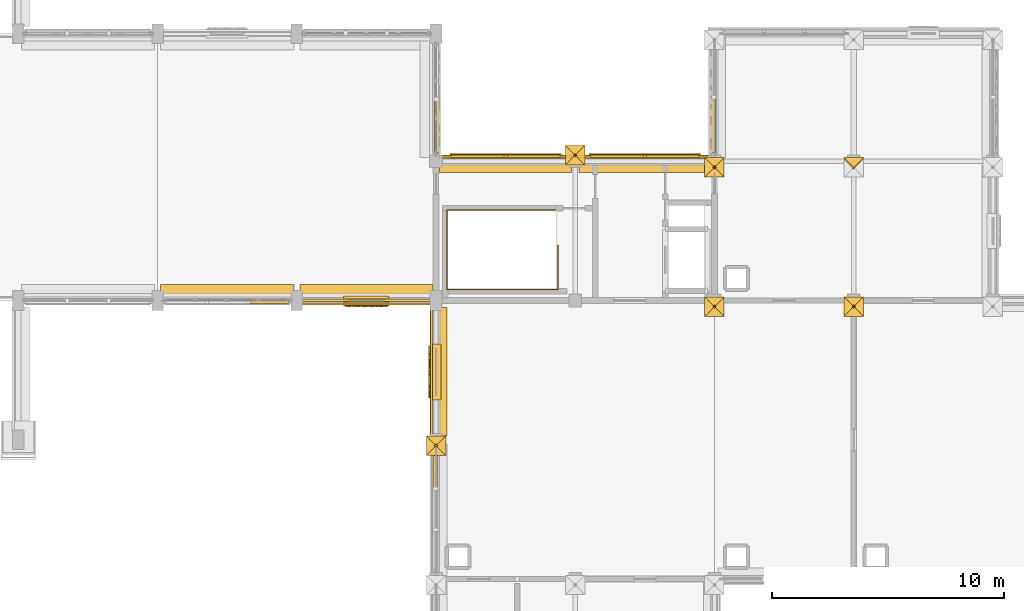
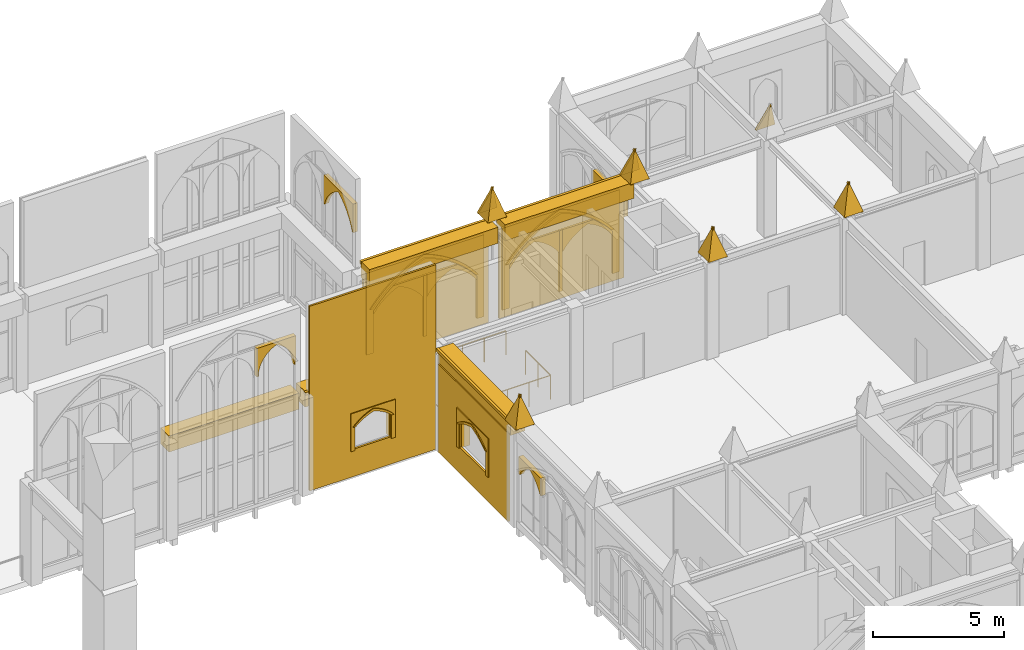
# One storey, part 101 of 108: 52 coverings, 1 railing.
"""IFC4 building model written with IfcOpenShell, lengths in metres."""

from ifc_helpers import new_model, si_unit, direction, frame, origin, origin_2d, place, context, subcontext, project, spatial, polyline, rectangle, circle, outline, extrude, material, type_object, element, save


model = new_model("IFC4")

# Units and contexts
model_context = context("Model", 3, precision=1e-05, world=origin(), true_north=direction((0.0, 1.0)))
body_context = subcontext(model_context, "Body", "Model", "MODEL_VIEW")
ifc_project = project(units=[si_unit("LENGTHUNIT", "METRE"), si_unit("AREAUNIT", "SQUARE_METRE"), si_unit("VOLUMEUNIT", "CUBIC_METRE"), si_unit("PLANEANGLEUNIT", "RADIAN"), si_unit("MASSUNIT", "GRAM", prefix="KILO")], contexts=[model_context])

# Site, building, storey
site_placement = place(None, origin())
site = spatial("IfcSite", under=ifc_project, at=site_placement, CompositionType="ELEMENT")
building_placement = place(site_placement, origin())
building = spatial("IfcBuilding", under=site, at=building_placement, Name="Cumevento Cable Car Station", CompositionType="ELEMENT")
storey_placement = place(building_placement, frame((0.0, 0.0, 13.5)))
storey = spatial("IfcBuildingStorey", under=building, at=storey_placement, Name="L04", CompositionType="ELEMENT", Elevation=13.5)

# Railing
ifc_material_1 = material(Name="Painted Galvanised Architectural Steel", Category="steel")
railing_type = type_object("IfcRailingType", Name="Stair Guardrail GR-S115", PredefinedType="GUARDRAIL", material=ifc_material_1)
railing_placement = place(storey_placement, frame((123.25, 47.3798828125, 0.0)))
element("IfcRailing", 1, at=railing_placement, inside=storey, type_object=railing_type, Name="Stairwell Opening Rim Guard ST-06-L03 L04", PredefinedType="GUARDRAIL", context=body_context, shape_type="SweptSolid", body=[
    extrude(circle(Radius=0.02392578125, at=origin_2d()), frame((0.0, 0.0, 1.1259765625), z_axis=(0.0, -1.0, 0.0), x_axis=(1.0, 0.0, 0.0)), (0.0, 0.0, 1.0), 1.909912109375),
    extrude(circle(Radius=0.02392578125, at=origin_2d()), frame((0.0, -1.909912109375, 1.1259765625), z_axis=(-1.0, 0.0, 0.0), x_axis=(0.0, -1.0, 0.0)), (0.0, 0.0, 1.0), 4.780029296875),
    extrude(circle(Radius=0.02392578125, at=origin_2d()), frame((-4.780029296875, -1.909912109375, 1.1259765625), z_axis=(0.0, 1.0, 0.0), x_axis=(-1.0, 0.0, 0.0)), (0.0, 0.0, 1.0), 3.429931640625),
    extrude(circle(Radius=0.02392578125, at=origin_2d()), frame((-4.780029296875, 1.52001953125, 1.1259765625), z_axis=(1.0, 0.0, 0.0), x_axis=(0.0, 1.0, 0.0)), (0.0, 0.0, 1.0), 4.780029296875),
    extrude(circle(Radius=0.02001953125, at=origin_2d()), origin(), (0.0, 0.0, 1.0), 1.101806640625),
    extrude(circle(Radius=0.02001953125, at=origin_2d()), frame((0.0, -0.955078125, 0.0)), (0.0, 0.0, 1.0), 1.101806640625),
    extrude(circle(Radius=0.02001953125, at=origin_2d()), frame((0.0, -1.909912109375, 0.0)), (0.0, 0.0, 1.0), 1.101806640625),
    extrude(circle(Radius=0.02001953125, at=origin_2d()), frame((-0.9560546875, -1.909912109375, 0.0)), (0.0, 0.0, 1.0), 1.101806640625),
    extrude(circle(Radius=0.02001953125, at=origin_2d()), frame((-1.912109375, -1.909912109375, 0.0)), (0.0, 0.0, 1.0), 1.101806640625),
    extrude(circle(Radius=0.02001953125, at=origin_2d()), frame((-2.867919921875, -1.909912109375, 0.0)), (0.0, 0.0, 1.0), 1.101806640625),
    extrude(circle(Radius=0.02001953125, at=origin_2d()), frame((-3.823974609375, -1.909912109375, 0.0)), (0.0, 0.0, 1.0), 1.101806640625),
    extrude(circle(Radius=0.02001953125, at=origin_2d()), frame((-4.780029296875, -1.909912109375, 0.0)), (0.0, 0.0, 1.0), 1.101806640625),
    extrude(circle(Radius=0.02001953125, at=origin_2d()), frame((-4.780029296875, -1.052490234375, 0.0)), (0.0, 0.0, 1.0), 1.101806640625),
    extrude(circle(Radius=0.02001953125, at=origin_2d()), frame((-4.780029296875, -0.19482421875, 0.0)), (0.0, 0.0, 1.0), 1.101806640625),
    extrude(circle(Radius=0.02001953125, at=origin_2d()), frame((-4.780029296875, 0.66259765625, 0.0)), (0.0, 0.0, 1.0), 1.101806640625),
    extrude(circle(Radius=0.02001953125, at=origin_2d()), frame((-4.780029296875, 1.52001953125, 0.0)), (0.0, 0.0, 1.0), 1.101806640625),
    extrude(circle(Radius=0.02001953125, at=origin_2d()), frame((-3.823974609375, 1.52001953125, 0.0)), (0.0, 0.0, 1.0), 1.101806640625),
    extrude(circle(Radius=0.02001953125, at=origin_2d()), frame((-2.867919921875, 1.52001953125, 0.0)), (0.0, 0.0, 1.0), 1.101806640625),
    extrude(circle(Radius=0.02001953125, at=origin_2d()), frame((-1.912109375, 1.52001953125, 0.0)), (0.0, 0.0, 1.0), 1.101806640625),
    extrude(circle(Radius=0.02001953125, at=origin_2d()), frame((-0.9560546875, 1.52001953125, 0.0)), (0.0, 0.0, 1.0), 1.101806640625),
    extrude(circle(Radius=0.02001953125, at=origin_2d()), frame((0.0, 1.52001953125, 0.0)), (0.0, 0.0, 1.0), 1.101806640625),
])

# Coverings
ifc_material_2 = material(Name="Gnaisse Facoidal Stone Ashlar 85 MPa", Category="masonry")
covering_type = type_object("IfcCoveringType", Name="Gnaisse Ashlar Cladding CV-CL01", PredefinedType="CLADDING", material=ifc_material_2)
for number, where, z_axis, x_axis, name in (
    (2, (117.580078125, 39.159912109375, 4.8701171875), (0.0, 0.951573760476, 0.30742052367), (1.0, 0.0, 0.0), "Gothic Buttress Pinnacle Spire Facet 1 bt:118.0:39.0"),
    (3, (118.419921875, 39.159912109375, 4.8701171875), (0.951573760476, 0.0, 0.30742052367), (0.0, -1.0, 0.0), "Gothic Buttress Pinnacle Spire Facet 2 bt:118.0:39.0"),
    (4, (118.419921875, 38.320068359375, 4.8701171875), (0.0, -0.951573760476, 0.30742052367), (-1.0, 0.0, 0.0), "Gothic Buttress Pinnacle Spire Facet 3 bt:118.0:39.0"),
    (5, (117.580078125, 38.320068359375, 4.8701171875), (-0.951573760476, 0.0, 0.30742052367), (0.0, 1.0, 0.0), "Gothic Buttress Pinnacle Spire Facet 4 bt:118.0:39.0"),
    (6, (124.419921875, 50.840087890625, 4.8701171875), (0.0, -0.951573760476, 0.30742052367), (-1.0, 0.0, 0.0), "Gothic Buttress Pinnacle Spire Facet 1 bt:124.0:51.0"),
    (7, (123.580078125, 50.840087890625, 4.8701171875), (-0.951573760476, 0.0, 0.30742052367), (0.0, 1.0, 0.0), "Gothic Buttress Pinnacle Spire Facet 2 bt:124.0:51.0"),
    (8, (123.580078125, 51.679931640625, 4.8701171875), (0.0, 0.951573760476, 0.30742052367), (1.0, 0.0, 0.0), "Gothic Buttress Pinnacle Spire Facet 3 bt:124.0:51.0"),
    (9, (124.419921875, 51.679931640625, 4.8701171875), (0.951573760476, 0.0, 0.30742052367), (0.0, -1.0, 0.0), "Gothic Buttress Pinnacle Spire Facet 4 bt:124.0:51.0"),
    (10, (129.580078125, 45.159912109375, 4.8701171875), (0.0, 0.951573760476, 0.30742052367), (1.0, 0.0, 0.0), "Gothic Buttress Pinnacle Spire Facet 1 bt:130.0:45.0"),
    (11, (130.419921875, 45.159912109375, 4.8701171875), (0.951573760476, 0.0, 0.30742052367), (0.0, -1.0, 0.0), "Gothic Buttress Pinnacle Spire Facet 2 bt:130.0:45.0"),
    (12, (130.419921875, 44.320068359375, 4.8701171875), (0.0, -0.951573760476, 0.30742052367), (-1.0, 0.0, 0.0), "Gothic Buttress Pinnacle Spire Facet 3 bt:130.0:45.0"),
    (13, (129.580078125, 44.320068359375, 4.8701171875), (-0.951573760476, 0.0, 0.30742052367), (0.0, 1.0, 0.0), "Gothic Buttress Pinnacle Spire Facet 4 bt:130.0:45.0"),
    (14, (129.580078125, 51.159912109375, 4.8701171875), (0.0, 0.951573760476, 0.30742052367), (1.0, 0.0, 0.0), "Gothic Buttress Pinnacle Spire Facet 1 bt:130.0:51.0"),
    (15, (130.419921875, 51.159912109375, 4.8701171875), (0.951573760476, 0.0, 0.30742052367), (0.0, -1.0, 0.0), "Gothic Buttress Pinnacle Spire Facet 2 bt:130.0:51.0"),
    (16, (130.419921875, 50.320068359375, 4.8701171875), (0.0, -0.951573760476, 0.30742052367), (-1.0, 0.0, 0.0), "Gothic Buttress Pinnacle Spire Facet 3 bt:130.0:51.0"),
    (17, (129.580078125, 50.320068359375, 4.8701171875), (-0.951573760476, 0.0, 0.30742052367), (0.0, 1.0, 0.0), "Gothic Buttress Pinnacle Spire Facet 4 bt:130.0:51.0"),
    (18, (135.580078125, 45.159912109375, 4.8701171875), (0.0, 0.951573760476, 0.30742052367), (1.0, 0.0, 0.0), "Gothic Buttress Pinnacle Spire Facet 1 bt:136.0:45.0"),
    (19, (136.419921875, 45.159912109375, 4.8701171875), (0.951573760476, 0.0, 0.30742052367), (0.0, -1.0, 0.0), "Gothic Buttress Pinnacle Spire Facet 2 bt:136.0:45.0"),
    (20, (136.419921875, 44.320068359375, 4.8701171875), (0.0, -0.951573760476, 0.30742052367), (-1.0, 0.0, 0.0), "Gothic Buttress Pinnacle Spire Facet 3 bt:136.0:45.0"),
    (21, (135.580078125, 44.320068359375, 4.8701171875), (-0.951573760476, 0.0, 0.30742052367), (0.0, 1.0, 0.0), "Gothic Buttress Pinnacle Spire Facet 4 bt:136.0:45.0"),
    (22, (135.580078125, 51.159912109375, 4.8701171875), (0.0, 0.951573760476, 0.30742052367), (1.0, 0.0, 0.0), "Gothic Buttress Pinnacle Spire Facet 1 bt:136.0:51.0"),
):
    element("IfcCovering", number, at=place(storey_placement, frame(where, z_axis=z_axis, x_axis=x_axis)), inside=storey, type_object=covering_type, Name=name, PredefinedType="CLADDING", context=body_context, shape_type="SweptSolid", body=[
        extrude(outline(polyline([(0.0, 0.0), (0.83984375, 0.0), (0.419921875, -1.3659526370817139), (0.0, 0.0)])), origin(), (0.0, 0.0, -1.0), 0.0849609375),
    ])
for number, where, z_axis, x_axis, name in (
    (23, (109.0, 45.3701171875, 3.782958984375), (0.0, 0.0, 1.0), (-1.0, 0.0, 0.0), "Gothic Stone Spandrel Stringcourse sc:0738"),
    (24, (115.0, 45.3701171875, 3.782958984375), (0.0, 0.0, 1.0), (-1.0, 0.0, 0.0), "Gothic Stone Spandrel Stringcourse sc:0739"),
):
    element("IfcCovering", number, at=place(storey_placement, frame(where, z_axis=z_axis, x_axis=x_axis)), inside=storey, type_object=covering_type, Name=name, PredefinedType="CLADDING", context=body_context, shape_type="SweptSolid", body=[
        extrude(rectangle(XDim=5.739990234375, YDim=0.659912109375, at=origin_2d()), origin(), (0.0, 0.0, 1.0), 0.7470703125),
    ])
covering_1_placement = place(storey_placement, frame((115.0, 45.012451171875, 4.400146484375), z_axis=(0.0, 0.0, 1.0), x_axis=(-1.0, 0.0, 0.0)))
element("IfcCovering", 25, at=covering_1_placement, inside=storey, type_object=covering_type, Name="Gothic Cornice Dripstone Lip sc:0739", PredefinedType="CLADDING", context=body_context, shape_type="SweptSolid", body=[
    extrude(rectangle(XDim=5.780029296875, YDim=0.114990234375, at=origin_2d()), origin(), (0.0, 0.0, 1.0), 0.1298828125),
])
covering_2_placement = place(storey_placement, frame((118.14990234375, 41.925048828125, 4.032958984375), z_axis=(0.0, 0.0, 1.0), x_axis=(0.0, 1.0, 0.0)))
element("IfcCovering", 26, at=covering_2_placement, inside=storey, type_object=covering_type, Name="Gothic Stone Spandrel Stringcourse sc:0759", PredefinedType="CLADDING", context=body_context, shape_type="SweptSolid", body=[
    extrude(rectangle(XDim=5.5400390625, YDim=0.659912109375, at=origin_2d()), origin(), (0.0, 0.0, 1.0), 0.7470703125),
])
covering_3_placement = place(storey_placement, frame((117.79248046875, 41.925048828125, 4.650146484375), z_axis=(0.0, 0.0, 1.0), x_axis=(0.0, 1.0, 0.0)))
element("IfcCovering", 27, at=covering_3_placement, inside=storey, type_object=covering_type, Name="Gothic Cornice Dripstone Lip sc:0759", PredefinedType="CLADDING", context=body_context, shape_type="SweptSolid", body=[
    extrude(rectangle(XDim=5.580078125, YDim=0.114990234375, at=origin_2d()), origin(), (0.0, 0.0, 1.0), 0.1298828125),
])
covering_4_placement = place(storey_placement, frame((121.0, 50.85009765625, 4.032958984375), z_axis=(0.0, 0.0, 1.0), x_axis=(1.0, 0.0, 0.0)))
element("IfcCovering", 28, at=covering_4_placement, inside=storey, type_object=covering_type, Name="Gothic Stone Spandrel Stringcourse sc:0771", PredefinedType="CLADDING", context=body_context, shape_type="SweptSolid", body=[
    extrude(rectangle(XDim=5.68994140625, YDim=0.659912109375, at=origin_2d()), origin(), (0.0, 0.0, 1.0), 0.7470703125),
])
covering_5_placement = place(storey_placement, frame((121.0, 51.20751953125, 4.650146484375), z_axis=(0.0, 0.0, 1.0), x_axis=(1.0, 0.0, 0.0)))
element("IfcCovering", 29, at=covering_5_placement, inside=storey, type_object=covering_type, Name="Gothic Cornice Dripstone Lip sc:0771", PredefinedType="CLADDING", context=body_context, shape_type="SweptSolid", body=[
    extrude(rectangle(XDim=5.72998046875, YDim=0.114990234375, at=origin_2d()), origin(), (0.0, 0.0, 1.0), 0.1298828125),
])
covering_6_placement = place(storey_placement, frame((127.0, 50.85009765625, 4.032958984375), z_axis=(0.0, 0.0, 1.0), x_axis=(1.0, 0.0, 0.0)))
element("IfcCovering", 30, at=covering_6_placement, inside=storey, type_object=covering_type, Name="Gothic Stone Spandrel Stringcourse sc:0772", PredefinedType="CLADDING", context=body_context, shape_type="SweptSolid", body=[
    extrude(rectangle(XDim=5.68994140625, YDim=0.659912109375, at=origin_2d()), origin(), (0.0, 0.0, 1.0), 0.7470703125),
])
covering_7_placement = place(storey_placement, frame((127.0, 51.20751953125, 4.650146484375), z_axis=(0.0, 0.0, 1.0), x_axis=(1.0, 0.0, 0.0)))
element("IfcCovering", 31, at=covering_7_placement, inside=storey, type_object=covering_type, Name="Gothic Cornice Dripstone Lip sc:0772", PredefinedType="CLADDING", context=body_context, shape_type="SweptSolid", body=[
    extrude(rectangle(XDim=5.72998046875, YDim=0.114990234375, at=origin_2d()), origin(), (0.0, 0.0, 1.0), 0.1298828125),
])
covering_8_placement = place(storey_placement, frame((111.6201171875, 45.0, 6.06298828125), z_axis=(0.0, 0.0, 1.0), x_axis=(-1.0, 0.0, 0.0)))
element("IfcCovering", 32, at=covering_8_placement, inside=storey, type_object=covering_type, Name="Gothic Ogival Pointed-Arch Stone Spandrel cw_ogival:0168:sub:0", PredefinedType="CLADDING", context=body_context, shape_type="SweptSolid", body=[
    extrude(outline(polyline([(-0.02001953125, 0.0), (-0.02001953125, 1.339599609375), (1.706787109375, 1.339599609375), (1.706787109375, 0.0), (1.646728515625, 0.0), (1.621826171875, 0.256103515625), (1.5478515625, 0.502685546875), (1.427978515625, 0.730224609375), (1.26611328125, 0.930419921875), (1.06884765625, 1.095458984375), (0.84326171875, 1.219482421875), (0.617919921875, 1.095458984375), (0.420654296875, 0.930419921875), (0.2587890625, 0.730224609375), (0.138916015625, 0.502685546875), (0.06494140625, 0.256103515625), (0.0400390625, 0.0), (-0.02001953125, 0.0)])), frame((0.0, 0.1240234375, 0.0), z_axis=(0.0, -1.0, 0.0), x_axis=(1.0, 0.0, 0.0)), (0.0, 0.0, 1.0), 0.199951171875),
])
covering_9_placement = place(storey_placement, frame((118.0, 53.6298828125, 6.06298828125), z_axis=(0.0, 0.0, 1.0), x_axis=(0.0, -1.0, 0.0)))
element("IfcCovering", 33, at=covering_9_placement, inside=storey, type_object=covering_type, Name="Gothic Ogival Pointed-Arch Stone Spandrel cw_ogival:0170:sub:1", PredefinedType="CLADDING", context=body_context, shape_type="SweptSolid", body=[
    extrude(outline(polyline([(-0.02001953125, 0.0), (-0.02001953125, 1.339599609375), (2.2451171875, 1.339599609375), (2.2451171875, 0.0), (2.18505859375, 0.0), (2.078125, 0.256103515625), (1.938720703125, 0.49609375), (1.76953125, 0.7158203125), (1.572998046875, 0.911865234375), (1.352783203125, 1.080810546875), (1.112548828125, 1.219482421875), (0.872314453125, 1.080810546875), (0.652099609375, 0.911865234375), (0.45556640625, 0.7158203125), (0.286376953125, 0.49609375), (0.14697265625, 0.256103515625), (0.0400390625, 0.0), (-0.02001953125, 0.0)])), frame((0.0, 0.1240234375, 0.0), z_axis=(0.0, -1.0, 0.0), x_axis=(1.0, 0.0, 0.0)), (0.0, 0.0, 1.0), 0.199951171875),
])
covering_10_placement = place(storey_placement, frame((118.0, 36.925048828125, 2.551025390625), z_axis=(0.0, 0.0, 1.0), x_axis=(0.0, 1.0, 0.0)))
element("IfcCovering", 34, at=covering_10_placement, inside=storey, type_object=covering_type, Name="Gothic Ogival Pointed-Arch Stone Spandrel cw_ogival:0179:sub:2", PredefinedType="CLADDING", context=body_context, shape_type="SweptSolid", body=[
    extrude(outline(polyline([(-0.02001953125, 0.0), (-0.02001953125, 0.82568359375), (1.68994140625, 0.82568359375), (1.68994140625, 0.0), (1.6298828125, 0.0), (1.533203125, 0.15234375), (1.419921875, 0.292724609375), (1.2919921875, 0.419921875), (1.150634765625, 0.531982421875), (0.99755859375, 0.627685546875), (0.8349609375, 0.705810546875), (0.67236328125, 0.627685546875), (0.519287109375, 0.531982421875), (0.3779296875, 0.419921875), (0.25, 0.292724609375), (0.13671875, 0.15234375), (0.0400390625, 0.0), (-0.02001953125, 0.0)])), frame((0.0, 0.1240234375, 0.0), z_axis=(0.0, -1.0, 0.0), x_axis=(1.0, 0.0, 0.0)), (0.0, 0.0, 1.0), 0.199951171875),
])
covering_11_placement = place(storey_placement, frame((130.0, 51.405029296875, 2.60498046875), z_axis=(0.0, 0.0, 1.0), x_axis=(0.0, 1.0, 0.0)))
element("IfcCovering", 35, at=covering_11_placement, inside=storey, type_object=covering_type, Name="Gothic Ogival Pointed-Arch Stone Spandrel cw_ogival:0190:sub:0", PredefinedType="CLADDING", context=body_context, shape_type="SweptSolid", body=[
    extrude(outline(polyline([(-0.02001953125, 0.0), (-0.02001953125, 0.797607421875), (2.320068359375, 0.797607421875), (2.320068359375, 0.0), (2.260009765625, 0.0), (2.10107421875, 0.150634765625), (1.929931640625, 0.287353515625), (1.748046875, 0.4091796875), (1.556396484375, 0.515380859375), (1.356689453125, 0.60498046875), (1.14990234375, 0.677734375), (0.943359375, 0.60498046875), (0.74365234375, 0.515380859375), (0.552001953125, 0.4091796875), (0.3701171875, 0.287353515625), (0.198974609375, 0.150634765625), (0.0400390625, 0.0), (-0.02001953125, 0.0)])), frame((0.0, 0.1240234375, 0.0), z_axis=(0.0, -1.0, 0.0), x_axis=(1.0, 0.0, 0.0)), (0.0, 0.0, 1.0), 0.199951171875),
])
covering_12_placement = place(storey_placement, frame((117.75, 45.0, 0.0), z_axis=(0.0, 0.0, 1.0), x_axis=(-1.0, 0.0, 0.0)))
element("IfcCovering", 36, at=covering_12_placement, inside=storey, type_object=covering_type, Name="Exterior Gnaisse Stone Wall Ashlar #281", PredefinedType="CLADDING", context=body_context, shape_type="SweptSolid", body=[
    extrude(outline(polyline([(-0.0400390625, -0.02001953125), (5.5400390625, -0.02001953125), (5.5400390625, 8.613037109375), (-0.0400390625, 8.613037109375), (-0.0400390625, -0.02001953125)]), holes=[polyline([(1.9599609375, 1.260009765625), (3.5400390625, 1.260009765625), (3.5400390625, 2.739990234375), (1.9599609375, 2.739990234375), (1.9599609375, 1.260009765625)])]), frame((0.0, 0.1923828125, 0.0), z_axis=(0.0, -1.0, 0.0), x_axis=(1.0, 0.0, 0.0)), (0.0, 0.0, 1.0), 0.0849609375),
])
covering_13_placement = place(storey_placement, frame((115.93994140625, 45.0, 1.199951171875), z_axis=(0.0, 0.0, 1.0), x_axis=(-1.0, 0.0, 0.0)))
element("IfcCovering", 37, at=covering_13_placement, inside=storey, type_object=covering_type, Name="Gothic Ogival Pointed-Arch Stone Spandrel op_ogival:0281:1", PredefinedType="CLADDING", context=body_context, shape_type="SweptSolid", body=[
    extrude(outline(polyline([(-0.0400390625, 0.0), (-0.0400390625, 1.77001953125), (1.919921875, 1.77001953125), (1.919921875, 0.0), (1.739990234375, 0.0), (1.739990234375, 1.1298828125), (1.640380859375, 1.218505859375), (1.535400390625, 1.2998046875), (1.4248046875, 1.3740234375), (1.309326171875, 1.440185546875), (1.189697265625, 1.498779296875), (1.06640625, 1.548583984375), (0.93994140625, 1.590087890625), (0.8134765625, 1.548583984375), (0.690185546875, 1.498779296875), (0.570556640625, 1.440185546875), (0.455078125, 1.3740234375), (0.344482421875, 1.2998046875), (0.239501953125, 1.218505859375), (0.139892578125, 1.1298828125), (0.139892578125, 0.0), (-0.0400390625, 0.0)])), frame((0.0, 0.23046875, 0.0), z_axis=(0.0, -1.0, 0.0), x_axis=(1.0, 0.0, 0.0)), (0.0, 0.0, 1.0), 0.4150390625),
])
covering_14_placement = place(storey_placement, frame((115.93994140625, 45.0, 2.330078125), z_axis=(0.0, 0.0, 1.0), x_axis=(-1.0, 0.0, 0.0)))
element("IfcCovering", 38, at=covering_14_placement, inside=storey, type_object=covering_type, Name="Gothic Pointed Archivolt Hood Moulding op_ogival:0281:1", PredefinedType="CLADDING", context=body_context, shape_type="SweptSolid", body=[
    extrude(outline(polyline([(0.139892578125, 0.0), (0.239501953125, 0.088623046875), (0.344482421875, 0.169921875), (0.455078125, 0.244140625), (0.570556640625, 0.310302734375), (0.690185546875, 0.36865234375), (0.8134765625, 0.418701171875), (0.93994140625, 0.4599609375), (1.06640625, 0.418701171875), (1.189697265625, 0.36865234375), (1.309326171875, 0.310302734375), (1.4248046875, 0.244140625), (1.535400390625, 0.169921875), (1.640380859375, 0.088623046875), (1.739990234375, 0.0), (1.839111328125, 0.0), (1.731201171875, 0.111328125), (1.615478515625, 0.21435546875), (1.492431640625, 0.308349609375), (1.362548828125, 0.392822265625), (1.2265625, 0.467041015625), (1.08544921875, 0.53076171875), (0.93994140625, 0.583740234375), (0.79443359375, 0.53076171875), (0.6533203125, 0.467041015625), (0.517333984375, 0.392822265625), (0.387451171875, 0.308349609375), (0.264404296875, 0.21435546875), (0.148681640625, 0.111328125), (0.041015625, 0.0), (0.139892578125, 0.0)])), frame((0.0, 0.2724609375, 0.0), z_axis=(0.0, -1.0, 0.0), x_axis=(1.0, 0.0, 0.0)), (0.0, 0.0, 1.0), 0.06689453125),
])
covering_15_placement = place(storey_placement, frame((118.0, 39.27490234375, 0.0), z_axis=(0.0, 0.0, 1.0), x_axis=(0.0, 1.0, 0.0)))
element("IfcCovering", 39, at=covering_15_placement, inside=storey, type_object=covering_type, Name="Exterior Gnaisse Stone Wall Ashlar #288", PredefinedType="CLADDING", context=body_context, shape_type="SweptSolid", body=[
    extrude(outline(polyline([(-0.0400390625, -0.02001953125), (5.340087890625, -0.02001953125), (5.340087890625, 4.113037109375), (-0.0400390625, 4.113037109375), (-0.0400390625, -0.02001953125)]), holes=[polyline([(1.635009765625, 1.2099609375), (3.6650390625, 1.2099609375), (3.6650390625, 2.739990234375), (1.635009765625, 2.739990234375), (1.635009765625, 1.2099609375)])]), frame((0.0, 0.22998046875, 0.0), z_axis=(0.0, -1.0, 0.0), x_axis=(1.0, 0.0, 0.0)), (0.0, 0.0, 1.0), 0.0849609375),
])
covering_16_placement = place(storey_placement, frame((118.0, 40.760009765625, 1.14990234375), z_axis=(0.0, 0.0, 1.0), x_axis=(0.0, 1.0, 0.0)))
element("IfcCovering", 40, at=covering_16_placement, inside=storey, type_object=covering_type, Name="Gothic Ogival Pointed-Arch Stone Spandrel op_ogival:0288:1", PredefinedType="CLADDING", context=body_context, shape_type="SweptSolid", body=[
    extrude(outline(polyline([(-0.0400390625, 0.0), (-0.0400390625, 1.820068359375), (2.3701171875, 1.820068359375), (2.3701171875, 0.0), (2.18994140625, 0.0), (2.18994140625, 1.166015625), (2.056396484375, 1.25830078125), (1.917724609375, 1.3427734375), (1.7744140625, 1.419189453125), (1.627197265625, 1.4873046875), (1.47607421875, 1.546875), (1.32177734375, 1.597900390625), (1.1650390625, 1.64013671875), (1.00830078125, 1.597900390625), (0.85400390625, 1.546875), (0.702880859375, 1.4873046875), (0.5556640625, 1.419189453125), (0.412353515625, 1.3427734375), (0.273681640625, 1.25830078125), (0.139892578125, 1.166015625), (0.139892578125, 0.0), (-0.0400390625, 0.0)])), frame((0.0, 0.26806640625, 0.0), z_axis=(0.0, -1.0, 0.0), x_axis=(1.0, 0.0, 0.0)), (0.0, 0.0, 1.0), 0.489990234375),
])
covering_17_placement = place(storey_placement, frame((118.0, 40.760009765625, 2.31591796875), z_axis=(0.0, 0.0, 1.0), x_axis=(0.0, 1.0, 0.0)))
element("IfcCovering", 41, at=covering_17_placement, inside=storey, type_object=covering_type, Name="Gothic Pointed Archivolt Hood Moulding op_ogival:0288:1", PredefinedType="CLADDING", context=body_context, shape_type="SweptSolid", body=[
    extrude(outline(polyline([(0.139892578125, 0.0), (0.273681640625, 0.09228515625), (0.412353515625, 0.1767578125), (0.5556640625, 0.253173828125), (0.702880859375, 0.3212890625), (0.85400390625, 0.380859375), (1.00830078125, 0.431884765625), (1.1650390625, 0.47412109375), (1.32177734375, 0.431884765625), (1.47607421875, 0.380859375), (1.627197265625, 0.3212890625), (1.7744140625, 0.253173828125), (1.917724609375, 0.1767578125), (2.056396484375, 0.09228515625), (2.18994140625, 0.0), (2.2890625, 0.0), (2.146728515625, 0.115478515625), (1.9970703125, 0.2216796875), (1.841064453125, 0.31787109375), (1.67919921875, 0.404052734375), (1.511962890625, 0.4794921875), (1.340576171875, 0.544189453125), (1.1650390625, 0.59765625), (0.989501953125, 0.544189453125), (0.818115234375, 0.4794921875), (0.65087890625, 0.404052734375), (0.489013671875, 0.31787109375), (0.3330078125, 0.2216796875), (0.183349609375, 0.115478515625), (0.041015625, 0.0), (0.139892578125, 0.0)])), frame((0.0, 0.31005859375, 0.0), z_axis=(0.0, -1.0, 0.0), x_axis=(1.0, 0.0, 0.0)), (0.0, 0.0, 1.0), 0.06689453125),
])
covering_18_placement = place(storey_placement, frame((118.27490234375, 51.0, 0.0), z_axis=(0.0, 0.0, 1.0), x_axis=(1.0, 0.0, 0.0)))
element("IfcCovering", 42, at=covering_18_placement, inside=storey, type_object=covering_type, Name="Exterior Gnaisse Stone Wall Ashlar #291", PredefinedType="CLADDING", context=body_context, shape_type="SweptSolid", body=[
    extrude(outline(polyline([(-0.0400390625, -0.02001953125), (5.489990234375, -0.02001953125), (5.489990234375, 4.113037109375), (-0.0400390625, 4.113037109375), (-0.0400390625, -0.02001953125)])), frame((0.0, 0.222412109375, 0.0), z_axis=(0.0, -1.0, 0.0), x_axis=(1.0, 0.0, 0.0)), (0.0, 0.0, 1.0), 0.0849609375),
])
placement_1 = place(storey_placement, frame((118.455078125, 51.0, 0.300048828125), z_axis=(0.0, 0.0, 1.0), x_axis=(1.0, 0.0, 0.0)))
element("IfcCovering", 43, at=placement_1, inside=storey, type_object=covering_type, Name="Gothic Ogival Pointed-Arch Stone Spandrel blind_ogival:0291", PredefinedType="CLADDING", context=body_context, shape_type="SweptSolid", body=[
    extrude(outline(polyline([(-0.050048828125, 0.0), (-0.050048828125, 3.8330078125), (5.139892578125, 3.8330078125), (5.139892578125, 0.0), (4.830078125, 0.0), (4.830078125, 1.9921875), (4.565673828125, 2.299560546875), (4.277099609375, 2.58447265625), (3.96630859375, 2.84521484375), (3.635498046875, 3.07958984375), (3.286865234375, 3.286865234375), (2.922607421875, 3.465087890625), (2.544921875, 3.61279296875), (2.16748046875, 3.465087890625), (1.80322265625, 3.286865234375), (1.45458984375, 3.07958984375), (1.123779296875, 2.84521484375), (0.81298828125, 2.58447265625), (0.5244140625, 2.299560546875), (0.260009765625, 1.9921875), (0.260009765625, 0.0), (-0.050048828125, 0.0)])), frame((0.0, 0.277587890625, 0.0), z_axis=(0.0, -1.0, 0.0), x_axis=(1.0, 0.0, 0.0)), (0.0, 0.0, 1.0), 0.110107421875),
])
covering_20_placement = place(storey_placement, frame((118.455078125, 51.0, 2.2919921875), z_axis=(0.0, 0.0, 1.0), x_axis=(1.0, 0.0, 0.0)))
element("IfcCovering", 44, at=covering_20_placement, inside=storey, type_object=covering_type, Name="Gothic Pointed Archivolt Hood Moulding blind_ogival:0291", PredefinedType="CLADDING", context=body_context, shape_type="SweptSolid", body=[
    extrude(outline(polyline([(0.260009765625, 0.0), (0.5244140625, 0.307373046875), (0.81298828125, 0.59228515625), (1.123779296875, 0.85302734375), (1.45458984375, 1.087646484375), (1.80322265625, 1.294677734375), (2.16748046875, 1.472900390625), (2.544921875, 1.620849609375), (2.922607421875, 1.472900390625), (3.286865234375, 1.294677734375), (3.635498046875, 1.087646484375), (3.96630859375, 0.85302734375), (4.277099609375, 0.59228515625), (4.565673828125, 0.307373046875), (4.830078125, 0.0), (4.950927734375, 0.0), (4.677001953125, 0.3349609375), (4.3759765625, 0.64599609375), (4.050048828125, 0.930908203125), (3.701416015625, 1.187744140625), (3.332763671875, 1.41455078125), (2.9462890625, 1.60986328125), (2.544921875, 1.772216796875), (2.143798828125, 1.60986328125), (1.75732421875, 1.41455078125), (1.388671875, 1.187744140625), (1.0400390625, 0.930908203125), (0.714111328125, 0.64599609375), (0.4130859375, 0.3349609375), (0.138916015625, 0.0), (0.260009765625, 0.0)])), frame((0.0, 0.319580078125, 0.0), z_axis=(0.0, -1.0, 0.0), x_axis=(1.0, 0.0, 0.0)), (0.0, 0.0, 1.0), 0.06689453125),
])
element("IfcCovering", 45, at=placement_1, inside=storey, type_object=covering_type, Name="Gothic Bifora Stone Colonnette blind_ogival:0291 #1", PredefinedType="CLADDING", context=body_context, shape_type="SweptSolid", body=[
    extrude(outline(polyline([(2.469970703125, -0.02001953125), (2.6201171875, -0.02001953125), (2.6201171875, 2.8349609375), (2.469970703125, 2.8349609375), (2.469970703125, -0.02001953125)])), frame((0.0, 0.265380859375, 0.0), z_axis=(0.0, -1.0, 0.0), x_axis=(1.0, 0.0, 0.0)), (0.0, 0.0, 1.0), 0.094970703125),
])
for number, where, z_axis, x_axis, name in (
    (46, (118.68505859375, 51.0, 2.112060546875), (0.0, 0.0, 1.0), (1.0, 0.0, 0.0), "Gothic Ogival Pointed-Arch Stone Spandrel blind_ogival:0291:sub:0"),
    (47, (121.044921875, 51.0, 2.112060546875), (0.0, 0.0, 1.0), (1.0, 0.0, 0.0), "Gothic Ogival Pointed-Arch Stone Spandrel blind_ogival:0291:sub:1"),
):
    element("IfcCovering", number, at=place(storey_placement, frame(where, z_axis=z_axis, x_axis=x_axis)), inside=storey, type_object=covering_type, Name=name, PredefinedType="CLADDING", context=body_context, shape_type="SweptSolid", body=[
        extrude(outline(polyline([(-0.02001953125, 0.0), (-0.02001953125, 1.02294921875), (2.2900390625, 1.02294921875), (2.2900390625, 0.0), (2.22998046875, 0.0), (2.0908203125, 0.196044921875), (1.931884765625, 0.37646484375), (1.754638671875, 0.5390625), (1.561279296875, 0.681884765625), (1.35400390625, 0.8037109375), (1.135009765625, 0.90283203125), (0.916015625, 0.8037109375), (0.708740234375, 0.681884765625), (0.515380859375, 0.5390625), (0.338134765625, 0.37646484375), (0.17919921875, 0.196044921875), (0.0400390625, 0.0), (-0.02001953125, 0.0)])), frame((0.0, 0.261474609375, 0.0), z_axis=(0.0, -1.0, 0.0), x_axis=(1.0, 0.0, 0.0)), (0.0, 0.0, 1.0), 0.090087890625),
    ])
covering_22_placement = place(storey_placement, frame((124.27490234375, 51.0, 0.0), z_axis=(0.0, 0.0, 1.0), x_axis=(1.0, 0.0, 0.0)))
element("IfcCovering", 48, at=covering_22_placement, inside=storey, type_object=covering_type, Name="Exterior Gnaisse Stone Wall Ashlar #292", PredefinedType="CLADDING", context=body_context, shape_type="SweptSolid", body=[
    extrude(outline(polyline([(-0.0400390625, -0.02001953125), (5.489990234375, -0.02001953125), (5.489990234375, 4.113037109375), (-0.0400390625, 4.113037109375), (-0.0400390625, -0.02001953125)])), frame((0.0, 0.222412109375, 0.0), z_axis=(0.0, -1.0, 0.0), x_axis=(1.0, 0.0, 0.0)), (0.0, 0.0, 1.0), 0.0849609375),
])
placement_2 = place(storey_placement, frame((124.455078125, 51.0, 0.300048828125), z_axis=(0.0, 0.0, 1.0), x_axis=(1.0, 0.0, 0.0)))
element("IfcCovering", 49, at=placement_2, inside=storey, type_object=covering_type, Name="Gothic Ogival Pointed-Arch Stone Spandrel blind_ogival:0292", PredefinedType="CLADDING", context=body_context, shape_type="SweptSolid", body=[
    extrude(outline(polyline([(-0.050048828125, 0.0), (-0.050048828125, 3.8330078125), (5.139892578125, 3.8330078125), (5.139892578125, 0.0), (4.830078125, 0.0), (4.830078125, 1.9921875), (4.565673828125, 2.299560546875), (4.277099609375, 2.58447265625), (3.96630859375, 2.84521484375), (3.635498046875, 3.07958984375), (3.286865234375, 3.286865234375), (2.922607421875, 3.465087890625), (2.544921875, 3.61279296875), (2.16748046875, 3.465087890625), (1.80322265625, 3.286865234375), (1.45458984375, 3.07958984375), (1.123779296875, 2.84521484375), (0.81298828125, 2.58447265625), (0.5244140625, 2.299560546875), (0.260009765625, 1.9921875), (0.260009765625, 0.0), (-0.050048828125, 0.0)])), frame((0.0, 0.277587890625, 0.0), z_axis=(0.0, -1.0, 0.0), x_axis=(1.0, 0.0, 0.0)), (0.0, 0.0, 1.0), 0.110107421875),
])
covering_24_placement = place(storey_placement, frame((124.455078125, 51.0, 2.2919921875), z_axis=(0.0, 0.0, 1.0), x_axis=(1.0, 0.0, 0.0)))
element("IfcCovering", 50, at=covering_24_placement, inside=storey, type_object=covering_type, Name="Gothic Pointed Archivolt Hood Moulding blind_ogival:0292", PredefinedType="CLADDING", context=body_context, shape_type="SweptSolid", body=[
    extrude(outline(polyline([(0.260009765625, 0.0), (0.5244140625, 0.307373046875), (0.81298828125, 0.59228515625), (1.123779296875, 0.85302734375), (1.45458984375, 1.087646484375), (1.80322265625, 1.294677734375), (2.16748046875, 1.472900390625), (2.544921875, 1.620849609375), (2.922607421875, 1.472900390625), (3.286865234375, 1.294677734375), (3.635498046875, 1.087646484375), (3.96630859375, 0.85302734375), (4.277099609375, 0.59228515625), (4.565673828125, 0.307373046875), (4.830078125, 0.0), (4.950927734375, 0.0), (4.677001953125, 0.3349609375), (4.3759765625, 0.64599609375), (4.050048828125, 0.930908203125), (3.701416015625, 1.187744140625), (3.332763671875, 1.41455078125), (2.9462890625, 1.60986328125), (2.544921875, 1.772216796875), (2.143798828125, 1.60986328125), (1.75732421875, 1.41455078125), (1.388671875, 1.187744140625), (1.0400390625, 0.930908203125), (0.714111328125, 0.64599609375), (0.4130859375, 0.3349609375), (0.138916015625, 0.0), (0.260009765625, 0.0)])), frame((0.0, 0.319580078125, 0.0), z_axis=(0.0, -1.0, 0.0), x_axis=(1.0, 0.0, 0.0)), (0.0, 0.0, 1.0), 0.06689453125),
])
element("IfcCovering", 51, at=placement_2, inside=storey, type_object=covering_type, Name="Gothic Bifora Stone Colonnette blind_ogival:0292 #1", PredefinedType="CLADDING", context=body_context, shape_type="SweptSolid", body=[
    extrude(outline(polyline([(2.469970703125, -0.02001953125), (2.6201171875, -0.02001953125), (2.6201171875, 2.8349609375), (2.469970703125, 2.8349609375), (2.469970703125, -0.02001953125)])), frame((0.0, 0.265380859375, 0.0), z_axis=(0.0, -1.0, 0.0), x_axis=(1.0, 0.0, 0.0)), (0.0, 0.0, 1.0), 0.094970703125),
])
for number, where, z_axis, x_axis, name in (
    (52, (124.68505859375, 51.0, 2.112060546875), (0.0, 0.0, 1.0), (1.0, 0.0, 0.0), "Gothic Ogival Pointed-Arch Stone Spandrel blind_ogival:0292:sub:0"),
    (53, (127.044921875, 51.0, 2.112060546875), (0.0, 0.0, 1.0), (1.0, 0.0, 0.0), "Gothic Ogival Pointed-Arch Stone Spandrel blind_ogival:0292:sub:1"),
):
    element("IfcCovering", number, at=place(storey_placement, frame(where, z_axis=z_axis, x_axis=x_axis)), inside=storey, type_object=covering_type, Name=name, PredefinedType="CLADDING", context=body_context, shape_type="SweptSolid", body=[
        extrude(outline(polyline([(-0.02001953125, 0.0), (-0.02001953125, 1.02294921875), (2.2900390625, 1.02294921875), (2.2900390625, 0.0), (2.22998046875, 0.0), (2.0908203125, 0.196044921875), (1.931884765625, 0.37646484375), (1.754638671875, 0.5390625), (1.561279296875, 0.681884765625), (1.35400390625, 0.8037109375), (1.135009765625, 0.90283203125), (0.916015625, 0.8037109375), (0.708740234375, 0.681884765625), (0.515380859375, 0.5390625), (0.338134765625, 0.37646484375), (0.17919921875, 0.196044921875), (0.0400390625, 0.0), (-0.02001953125, 0.0)])), frame((0.0, 0.261474609375, 0.0), z_axis=(0.0, -1.0, 0.0), x_axis=(1.0, 0.0, 0.0)), (0.0, 0.0, 1.0), 0.090087890625),
    ])

save(model, "model.ifc")
